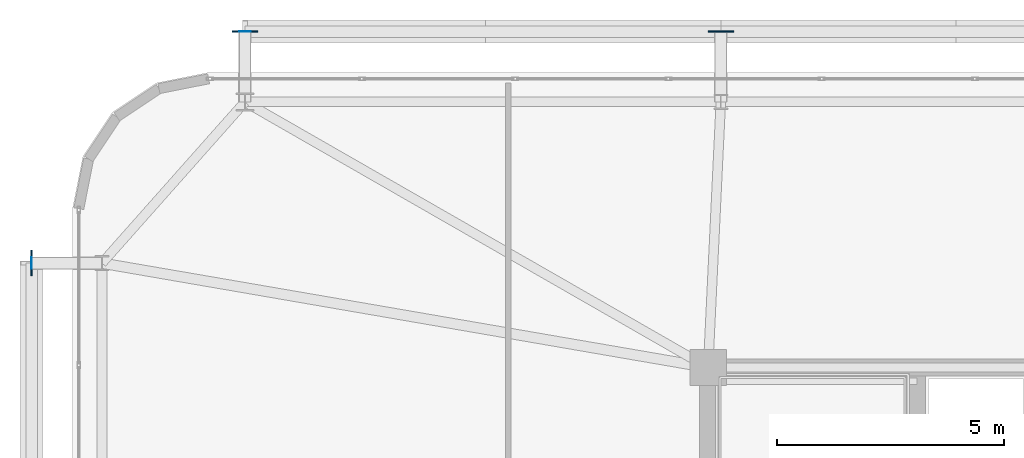
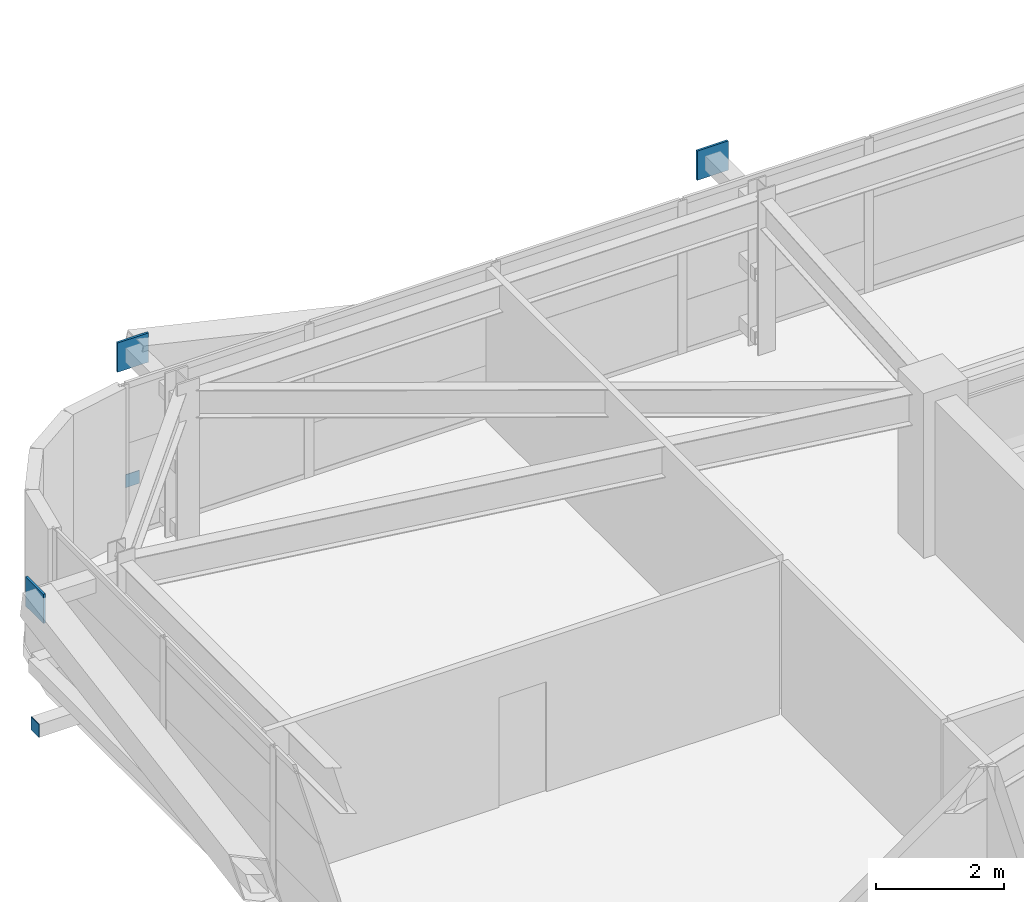
# One storey, part 49 of 59: 5 plates.
"""IFC4 building model written with IfcOpenShell, lengths in metres."""

from ifc_helpers import new_model, si_unit, direction, frame, origin, origin_2d, place, context, subcontext, project, spatial, rectangle, extrude, source, transform, mapped, material, layer, layer_set, type_object, element, save


model = new_model("IFC4")

# Units and contexts
model_context = context("Model", 3, precision=1e-05, world=origin(), true_north=direction((0.0, 1.0)))
body_context = subcontext(model_context, "Body", "Model", "MODEL_VIEW")
ifc_project = project(units=[si_unit("LENGTHUNIT", "METRE"), si_unit("AREAUNIT", "SQUARE_METRE"), si_unit("VOLUMEUNIT", "CUBIC_METRE"), si_unit("PLANEANGLEUNIT", "RADIAN"), si_unit("MASSUNIT", "GRAM", prefix="KILO")], contexts=[model_context])

# Site, building, storey
site_placement = place(None, origin())
site = spatial("IfcSite", under=ifc_project, at=site_placement, CompositionType="ELEMENT")
building_placement = place(site_placement, origin())
building = spatial("IfcBuilding", under=site, at=building_placement, Name="Taldren Reach Tower", CompositionType="ELEMENT")
storey_placement = place(building_placement, frame((0.0, 0.0, 45.14990234375)))
storey = spatial("IfcBuildingStorey", under=building, at=storey_placement, Name="L13", CompositionType="ELEMENT", Elevation=45.14990234375)

# Plates
ifc_material_1 = material(Name="Steel Gr 450 (C450L0)", Category="steel")
ifc_layer_1 = layer(ifc_material_1, 0.0400390625)
ifc_layer_set_1 = layer_set([ifc_layer_1], Name="Steel Gr 450 (C450L0)")
plate_type_1 = type_object("IfcPlateType", Name="PL-GUSSET-40", PredefinedType="SHEET", material=ifc_layer_set_1)
shared_shape_1 = source(origin(), body_context, "Body", "SweptSolid", [
    extrude(rectangle(XDim=0.56005859375, YDim=0.0400390625, at=origin_2d()), origin(), (0.0, 0.0, 1.0), 0.56005859375),
])
for number, where, z_axis, x_axis, name in (
    (1, (8.800048828125, 39.39990234375, 2.3701171875), (0.0, 0.0, 1.0), (1.0, 0.0, 0.0), "Exoskeleton star-node gusset plate B1-N1 L13"),
    (2, (19.280029296875, 39.39990234375, 2.3701171875), (0.0, 0.0, 1.0), (1.0, 0.0, 0.0), "Exoskeleton star-node gusset plate B1-N2 L13"),
    (3, (4.10009765625, 34.300048828125, 2.3701171875), (0.0, 0.0, 1.0), (0.0, 1.0, 0.0), "Exoskeleton star-node gusset plate B1-W3 L13"),
):
    element("IfcPlate", number, at=place(storey_placement, frame(where, z_axis=z_axis, x_axis=x_axis)), inside=storey, type_object=plate_type_1, Name=name, PredefinedType="SHEET", context=body_context, shape_type="MappedRepresentation", body=[
        mapped(shared_shape_1, transform((0.0, 0.0, 0.0), scale=1.0)),
    ])
ifc_material_2 = material(Name="Steel Gr 350 (C350L0)", Category="steel")
ifc_layer_2 = layer(ifc_material_2, 0.011962890625)
ifc_layer_set_2 = layer_set([ifc_layer_2], Name="Steel Gr 350 (C350L0)")
plate_type_2 = type_object("IfcPlateType", Name="PL-CAP-250", PredefinedType="SHEET", material=ifc_layer_set_2)
shared_shape_2 = source(origin(), body_context, "Body", "SweptSolid", [
    extrude(rectangle(XDim=0.25, YDim=0.011962890625, at=origin_2d()), origin(), (0.0, 0.0, 1.0), 0.25),
])
plate_1_placement = place(storey_placement, frame((8.800048828125, 39.406005859375, 0.09521484375), z_axis=(0.0, 0.0, 1.0), x_axis=(1.0, 0.0, 0.0)))
element("IfcPlate", 4, at=plate_1_placement, inside=storey, type_object=plate_type_2, Name="Tie strut end cap plate B1-N1 L13", PredefinedType="SHEET", context=body_context, shape_type="MappedRepresentation", body=[
    mapped(shared_shape_2, transform((0.0, 0.0, 0.0), scale=1.0)),
])
shared_shape_3 = source(origin(), body_context, "Body", "SweptSolid", [
    extrude(rectangle(XDim=0.011962890625, YDim=0.25, at=origin_2d()), origin(), (0.0, 0.0, 1.0), 0.25),
])
plate_2_placement = place(storey_placement, frame((4.093994140625, 34.300048828125, 0.09521484375), z_axis=(0.0, 0.0, 1.0), x_axis=(1.0, 0.0, 0.0)))
element("IfcPlate", 5, at=plate_2_placement, inside=storey, type_object=plate_type_2, Name="Tie strut end cap plate B1-W3 L13", PredefinedType="SHEET", context=body_context, shape_type="MappedRepresentation", body=[
    mapped(shared_shape_3, transform((0.0, 0.0, 0.0), scale=1.0)),
])

save(model, "model.ifc")
